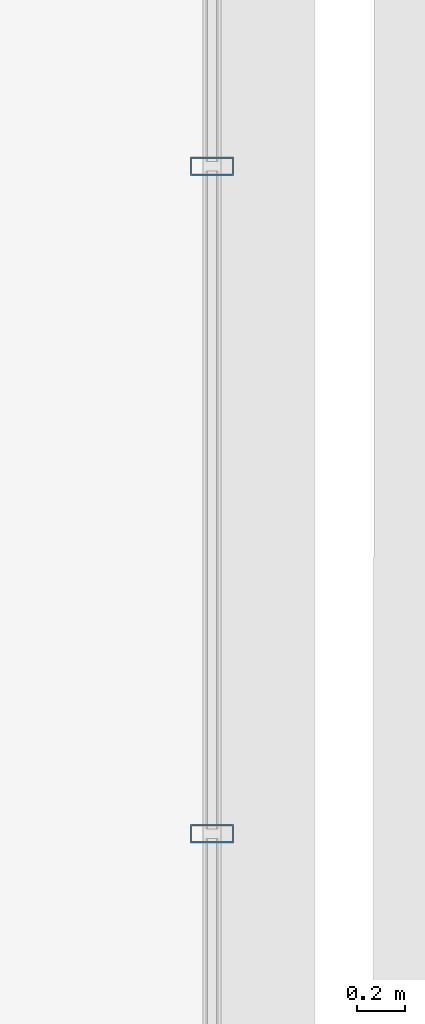
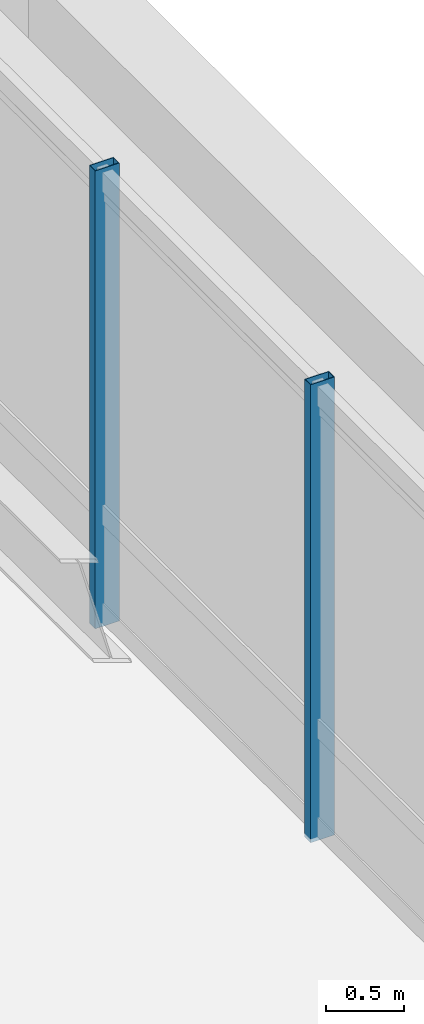
# One storey, part 4 of 13: 2 members, 1 element without a shape of its own.
"""IFC4 building model written with IfcOpenShell, lengths in metres."""

from ifc_helpers import new_model, si_unit, direction, frame, origin, origin_2d, place, context, subcontext, project, spatial, hollow_rectangle, extrude, material, material_profile, profile_set, type_object, element, aggregate, save


model = new_model("IFC4")

# Units and contexts
model_context = context("Model", 3, precision=1e-05, world=origin(), true_north=direction((0.0, 1.0)))
body_context = subcontext(model_context, "Body", "Model", "MODEL_VIEW")
ifc_project = project(units=[si_unit("LENGTHUNIT", "METRE"), si_unit("AREAUNIT", "SQUARE_METRE"), si_unit("VOLUMEUNIT", "CUBIC_METRE"), si_unit("PLANEANGLEUNIT", "RADIAN"), si_unit("MASSUNIT", "GRAM", prefix="KILO")], contexts=[model_context])

# Site, building, storey
site_placement = place(None, origin())
site = spatial("IfcSite", under=ifc_project, at=site_placement, CompositionType="ELEMENT")
building_placement = place(site_placement, origin())
building = spatial("IfcBuilding", under=site, at=building_placement, Name="Zulverin Broadcast Headquarters", CompositionType="ELEMENT")
storey_placement = place(building_placement, frame((0.0, 0.0, 108.60009765625)))
storey = spatial("IfcBuildingStorey", under=building, at=storey_placement, Name="L27", CompositionType="ELEMENT", Elevation=108.60009765625)

# Curtain wall, members
ifc_material_1 = material(Name="Low-zone ribbon unitised curtain wall", Category="aluminium")
curtain_wall_type = type_object("IfcCurtainWallType", Name="CW-TWR-LOW", PredefinedType="USERDEFINED", material=ifc_material_1)
curtain_wall_placement = place(storey_placement, origin())
curtain_wall = element("IfcCurtainWall", 1, at=curtain_wall_placement, inside=storey, type_object=curtain_wall_type, Name="L27 Unitised Curtain Wall CW-L27-E3", ObjectType="UNITISED CURTAIN WALL", PredefinedType="USERDEFINED")
ifc_material_2 = material(Name="Anodized pale-metal aluminium alloy 6063-T6", Category="aluminium")
ifc_material_profile = material_profile(ifc_material_2, hollow_rectangle(XDim=0.074951171875, YDim=0.179931640625, WallThickness=0.0048828125, at=origin_2d()), Name="Anodized pale-metal aluminium alloy 6063-T6", Category="aluminium")
ifc_profile_set = profile_set([ifc_material_profile], Name="Anodized pale-metal aluminium alloy 6063-T6")
member_type = type_object("IfcMemberType", Name="CW-MUL-180", PredefinedType="MULLION", material=ifc_profile_set)
member_1_placement = place(storey_placement, frame((66.080078125, 27.229736328125, -0.030029296875), z_axis=(0.0, 0.0, 1.0), x_axis=(0.0, 1.0, 0.0)))
member_1 = element("IfcMember", 2, at=member_1_placement, type_object=member_type, Name="CW-L27-E3 Mullion 04", PredefinedType="MULLION", context=body_context, shape_type="SweptSolid", body=[
    extrude(hollow_rectangle(XDim=0.074951171875, YDim=0.179931640625, WallThickness=0.0048828125, at=origin_2d()), origin(), (0.0, 0.0, 1.0), 3.5849609375),
])
member_2_placement = place(storey_placement, frame((66.080078125, 29.9912109375, -0.030029296875), z_axis=(0.0, 0.0, 1.0), x_axis=(0.0, 1.0, 0.0)))
member_2 = element("IfcMember", 3, at=member_2_placement, type_object=member_type, Name="CW-L27-E3 Mullion 05", PredefinedType="MULLION", context=body_context, shape_type="SweptSolid", body=[
    extrude(hollow_rectangle(XDim=0.074951171875, YDim=0.179931640625, WallThickness=0.0048828125, at=origin_2d()), origin(), (0.0, 0.0, 1.0), 3.5849609375),
])
aggregate(curtain_wall, [member_1, member_2])

save(model, "model.ifc")
